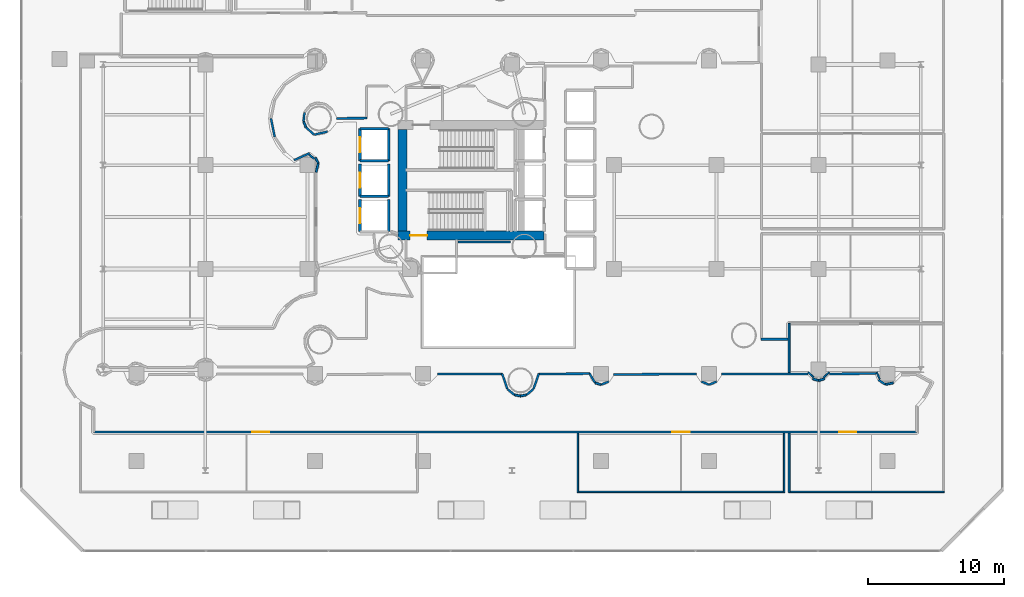
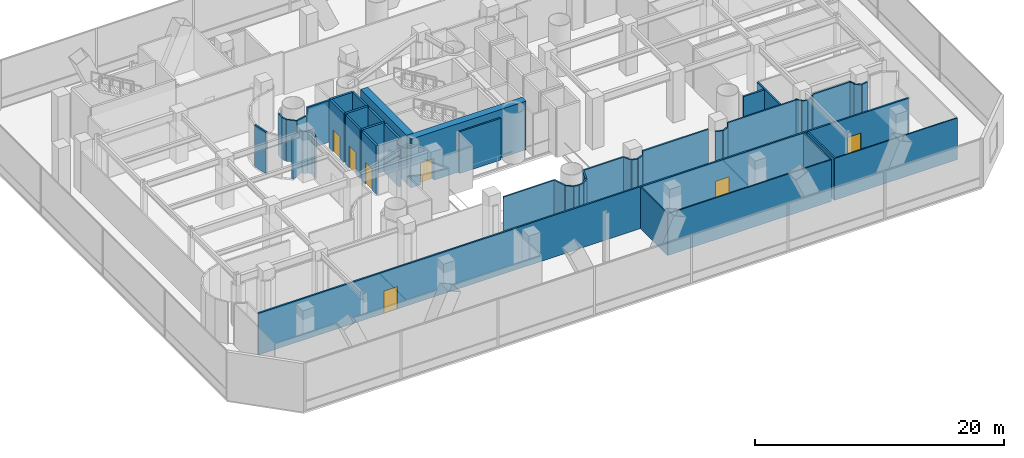
# One storey, part 32 of 42: 53 walls, 7 doors, 7 openings.
"""IFC4 building model written with IfcOpenShell, lengths in metres."""

from ifc_helpers import new_model, si_unit, direction, frame, frame_2d, origin, place, context, subcontext, project, spatial, rectangle, extrude, material, layer, layer_set, type_object, element, fill, save


model = new_model("IFC4")

# Units and contexts
model_context = context("Model", 3, precision=1e-05, world=origin(), true_north=direction((0.0, 1.0)))
body_context = subcontext(model_context, "Body", "Model", "MODEL_VIEW")
ifc_project = project(units=[si_unit("LENGTHUNIT", "METRE"), si_unit("AREAUNIT", "SQUARE_METRE"), si_unit("VOLUMEUNIT", "CUBIC_METRE"), si_unit("PLANEANGLEUNIT", "RADIAN"), si_unit("MASSUNIT", "GRAM", prefix="KILO")], contexts=[model_context])

# Site, building, storey
site_placement = place(None, origin())
site = spatial("IfcSite", under=ifc_project, at=site_placement, CompositionType="ELEMENT")
building_placement = place(site_placement, origin())
building = spatial("IfcBuilding", under=site, at=building_placement, Name="Qianvela Tower", CompositionType="ELEMENT")
storey_placement = place(building_placement, frame((0.0, 0.0, 6.0)))
storey = spatial("IfcBuildingStorey", under=building, at=storey_placement, Name="L01", CompositionType="ELEMENT", Elevation=6.0)

# Wall, opening, door
ifc_material_1 = material(Name="Concrete C60", Category="concrete")
ifc_layer_1 = layer(ifc_material_1, 0.64990234375)
ifc_layer_set_1 = layer_set([ifc_layer_1], Name="Concrete C60")
wall_type_1 = type_object("IfcWallType", Name="WT-CORE-650", PredefinedType="SHEAR", material=ifc_layer_set_1)
wall_1_placement = place(storey_placement, frame((29.1298828125, 24.655029296875, 0.0), z_axis=(0.0, 0.0, 1.0), x_axis=(1.0, 0.0, 0.0)))
wall_1 = element("IfcWall", 1, at=wall_1_placement, inside=storey, type_object=wall_type_1, Name="L01 South Core Shear Wall", PredefinedType="SHEAR", context=body_context, shape_type="SweptSolid", body=[
    extrude(rectangle(XDim=10.72021484375, YDim=0.64990234375, at=frame_2d((5.360107421875, 0.0))), origin(), (0.0, 0.0, 1.0), 4.780029296875),
])
opening_1_placement = place(wall_1_placement, frame((0.89501953125, 0.0, 0.0)))
opening_1 = element("IfcOpeningElement", 2, at=opening_1_placement, cuts=wall_1, Name="Opening D-ST1", PredefinedType="OPENING", context=body_context, shape_type="SweptSolid", body=[
    extrude(rectangle(XDim=1.25, YDim=2.14990234375, at=frame_2d((0.625, 1.074951171875))), frame((0.0, 0.3349609375, 0.0), z_axis=(0.0, -1.0, 0.0), x_axis=(1.0, 0.0, 0.0)), (0.0, 0.0, 1.0), 0.669921875),
])
ifc_material_2 = material(Name="Galvanised Fire Steel Q355B", Category="steel")
door_type_1 = type_object("IfcDoorType", Name="DT-STAIR-FD90", OperationType="NOTDEFINED", PredefinedType="DOOR", material=ifc_material_2)
door_1_placement = place(opening_1_placement, origin())
door_1 = element("IfcDoor", 3, at=door_1_placement, inside=storey, type_object=door_type_1, Name="L01 Stair ST-2 Exit Door", OperationType="SINGLE_SWING_LEFT", OverallHeight=2.14990234375, OverallWidth=1.25, PredefinedType="DOOR", context=body_context, shape_type="SweptSolid", body=[
    extrude(rectangle(XDim=1.25, YDim=2.14990234375, at=frame_2d((0.625, 1.074951171875))), frame((0.0, 0.02490234375, 0.0), z_axis=(0.0, -1.0, 0.0), x_axis=(1.0, 0.0, 0.0)), (0.0, 0.0, 1.0), 0.050048828125),
])
fill(opening_1, door_1)

# Walls
wall_2_placement = place(storey_placement, frame((29.455078125, 24.97998046875, 0.0), z_axis=(0.0, 0.0, 1.0), x_axis=(0.0, 1.0, 0.0)))
element("IfcWall", 4, at=wall_2_placement, inside=storey, type_object=wall_type_1, Name="L01 West Core Shear Wall", PredefinedType="SHEAR", context=body_context, shape_type="SweptSolid", body=[
    extrude(rectangle(XDim=7.43994140625, YDim=0.64990234375, at=frame_2d((3.719970703125, 0.0))), origin(), (0.0, 0.0, 1.0), 4.780029296875),
])
ifc_material_3 = material(Name="Fire-Rated Acoustic Gypsum Board")
ifc_layer_2 = layer(ifc_material_3, 0.14990234375)
ifc_layer_set_2 = layer_set([ifc_layer_2], Name="Fire-Rated Acoustic Gypsum Board")
wall_type_2 = type_object("IfcWallType", Name="WT-CORR-150", PredefinedType="PARTITIONING", material=ifc_layer_set_2)
wall_3_placement = place(storey_placement, frame((37.388671875, 24.180908203125, 0.0), z_axis=(0.0, 0.0, 1.0), x_axis=(-1.0, 0.0, 0.0)))
element("IfcWall", 5, at=wall_3_placement, inside=storey, type_object=wall_type_2, Name="L01 Partition 35", PredefinedType="PARTITIONING", context=body_context, shape_type="SweptSolid", body=[
    extrude(rectangle(XDim=3.858642578125, YDim=0.14990234375, at=frame_2d((1.92919921875, 0.0))), origin(), (0.0, 0.0, 1.0), 4.10009765625),
])
wall_4_placement = place(storey_placement, frame((32.029052734375, 14.474609375, 0.0), z_axis=(0.0, 0.0, 1.0), x_axis=(0.999996860616, 0.002505745138, 0.0)))
element("IfcWall", 6, at=wall_4_placement, inside=storey, type_object=wall_type_2, Name="L01 Partition 49", PredefinedType="PARTITIONING", context=body_context, shape_type="SweptSolid", body=[
    extrude(rectangle(XDim=4.774169921875, YDim=0.14990234375, at=frame_2d((2.38720703125, 0.0))), origin(), (0.0, 0.0, 1.0), 4.10009765625),
])
wall_5_placement = place(storey_placement, frame((36.773681640625, 14.507568359375, 0.0), z_axis=(0.0, 0.0, 1.0), x_axis=(0.324660518743, -0.945830612515, 0.0)))
element("IfcWall", 7, at=wall_5_placement, inside=storey, type_object=wall_type_2, Name="L01 Partition 50", PredefinedType="PARTITIONING", context=body_context, shape_type="SweptSolid", body=[
    extrude(rectangle(XDim=1.188232421875, YDim=0.14990234375, at=frame_2d((0.59423828125, 0.0))), origin(), (0.0, 0.0, 1.0), 4.10009765625),
])
wall_6_placement = place(storey_placement, frame((37.169189453125, 13.369873046875, 0.0), z_axis=(0.0, 0.0, 1.0), x_axis=(0.772818338666, -0.634627304346, 0.0)))
element("IfcWall", 8, at=wall_6_placement, inside=storey, type_object=wall_type_2, Name="L01 Partition 51", PredefinedType="PARTITIONING", context=body_context, shape_type="SweptSolid", body=[
    extrude(rectangle(XDim=0.650146484375, YDim=0.14990234375, at=frame_2d((0.3251953125, 0.0))), origin(), (0.0, 0.0, 1.0), 4.10009765625),
])
for number, where, z_axis, x_axis, name in (
    (9, (37.685302734375, 12.950927734375, 0.0), (0.0, 0.0, 1.0), (0.980709346372, -0.195471680655, 0.0), "L01 Partition 52"),
    (10, (38.1259765625, 12.865478515625, 0.0), (0.0, 0.0, 1.0), (0.980709346372, 0.195471680655, 0.0), "L01 Partition 53"),
):
    element("IfcWall", number, at=place(storey_placement, frame(where, z_axis=z_axis, x_axis=x_axis)), inside=storey, type_object=wall_type_2, Name=name, PredefinedType="PARTITIONING", context=body_context, shape_type="SweptSolid", body=[
        extrude(rectangle(XDim=0.437255859375, YDim=0.14990234375, at=frame_2d((0.21875, 0.0))), origin(), (0.0, 0.0, 1.0), 4.10009765625),
    ])
wall_7_placement = place(storey_placement, frame((38.568359375, 12.957275390625, 0.0), z_axis=(0.0, 0.0, 1.0), x_axis=(0.772818338666, 0.634627304346, 0.0)))
element("IfcWall", 11, at=wall_7_placement, inside=storey, type_object=wall_type_2, Name="L01 Partition 54", PredefinedType="PARTITIONING", context=body_context, shape_type="SweptSolid", body=[
    extrude(rectangle(XDim=0.650146484375, YDim=0.14990234375, at=frame_2d((0.3251953125, 0.0))), origin(), (0.0, 0.0, 1.0), 4.10009765625),
])
wall_8_placement = place(storey_placement, frame((39.08056640625, 13.3837890625, 0.0), z_axis=(0.0, 0.0, 1.0), x_axis=(0.324428785583, 0.945910124211, 0.0)))
element("IfcWall", 12, at=wall_8_placement, inside=storey, type_object=wall_type_2, Name="L01 Partition 55", PredefinedType="PARTITIONING", context=body_context, shape_type="SweptSolid", body=[
    extrude(rectangle(XDim=1.195068359375, YDim=0.14990234375, at=frame_2d((0.59765625, 0.0))), origin(), (0.0, 0.0, 1.0), 4.10009765625),
])
wall_9_placement = place(storey_placement, frame((39.43896484375, 14.4931640625, 0.0), z_axis=(0.0, 0.0, 1.0), x_axis=(0.999996818161, 0.002522631042, 0.0)))
element("IfcWall", 13, at=wall_9_placement, inside=storey, type_object=wall_type_2, Name="L01 Partition 56", PredefinedType="PARTITIONING", context=body_context, shape_type="SweptSolid", body=[
    extrude(rectangle(XDim=3.7744140625, YDim=0.14990234375, at=frame_2d((1.88720703125, 0.0))), origin(), (0.0, 0.0, 1.0), 4.10009765625),
])
wall_10_placement = place(storey_placement, frame((43.186767578125, 14.517578125, 0.0), z_axis=(0.0, 0.0, 1.0), x_axis=(0.51358109692, -0.858041057809, 0.0)))
element("IfcWall", 14, at=wall_10_placement, inside=storey, type_object=wall_type_2, Name="L01 Partition 57", PredefinedType="PARTITIONING", context=body_context, shape_type="SweptSolid", body=[
    extrude(rectangle(XDim=0.785400390625, YDim=0.14990234375, at=frame_2d((0.392578125, 0.0))), origin(), (0.0, 0.0, 1.0), 4.10009765625),
])
wall_11_placement = place(storey_placement, frame((43.60791015625, 13.830078125, 0.0), z_axis=(0.0, 0.0, 1.0), x_axis=(0.956858887343, -0.290553041134, 0.0)))
element("IfcWall", 15, at=wall_11_placement, inside=storey, type_object=wall_type_2, Name="L01 Partition 58", PredefinedType="PARTITIONING", context=body_context, shape_type="SweptSolid", body=[
    extrude(rectangle(XDim=0.447021484375, YDim=0.14990234375, at=frame_2d((0.2236328125, 0.0))), origin(), (0.0, 0.0, 1.0), 4.10009765625),
])
wall_12_placement = place(storey_placement, frame((44.056396484375, 13.701416015625, 0.0), z_axis=(0.0, 0.0, 1.0), x_axis=(0.923835035561, 0.382790839847, 0.0)))
element("IfcWall", 16, at=wall_12_placement, inside=storey, type_object=wall_type_2, Name="L01 Partition 59", PredefinedType="PARTITIONING", context=body_context, shape_type="SweptSolid", body=[
    extrude(rectangle(XDim=0.58935546875, YDim=0.14990234375, at=frame_2d((0.294677734375, 0.0))), origin(), (0.0, 0.0, 1.0), 4.10009765625),
])
wall_13_placement = place(storey_placement, frame((44.944580078125, 14.456298828125, 0.0), z_axis=(0.0, 0.0, 1.0), x_axis=(0.999996822019, 0.002521101276, 0.0)))
element("IfcWall", 17, at=wall_13_placement, inside=storey, type_object=wall_type_2, Name="L01 Partition 60", PredefinedType="PARTITIONING", context=body_context, shape_type="SweptSolid", body=[
    extrude(rectangle(XDim=6.100830078125, YDim=0.14990234375, at=frame_2d((3.05029296875, 0.0))), origin(), (0.0, 0.0, 1.0), 4.10009765625),
])
for number, where, z_axis, x_axis, name in (
    (18, (51.399169921875, 13.927001953125, 0.0), (0.0, 0.0, 1.0), (0.923835035561, -0.382790839847, 0.0), "L01 Partition 61"),
    (19, (51.96728515625, 13.701416015625, 0.0), (0.0, 0.0, 1.0), (0.923835035561, 0.382790839847, 0.0), "L01 Partition 62"),
):
    element("IfcWall", number, at=place(storey_placement, frame(where, z_axis=z_axis, x_axis=x_axis)), inside=storey, type_object=wall_type_2, Name=name, PredefinedType="PARTITIONING", context=body_context, shape_type="SweptSolid", body=[
        extrude(rectangle(XDim=0.58935546875, YDim=0.14990234375, at=frame_2d((0.294677734375, 0.0))), origin(), (0.0, 0.0, 1.0), 4.10009765625),
    ])
wall_14_placement = place(storey_placement, frame((52.868408203125, 14.476318359375, 0.0), z_axis=(0.0, 0.0, 1.0), x_axis=(0.999996963658, 0.002464279607, 0.0)))
element("IfcWall", 20, at=wall_14_placement, inside=storey, type_object=wall_type_2, Name="L01 Partition 63", PredefinedType="PARTITIONING", context=body_context, shape_type="SweptSolid", body=[
    extrude(rectangle(XDim=6.340576171875, YDim=0.14990234375, at=frame_2d((3.17041015625, 0.0))), origin(), (0.0, 0.0, 1.0), 4.10009765625),
])
for number, where, z_axis, x_axis, name in (
    (21, (59.563232421875, 14.130126953125, 0.0), (0.0, 0.0, 1.0), (0.956858887343, -0.290553041134, 0.0), "L01 Partition 64"),
    (22, (60.009033203125, 14.000244140625, 0.0), (0.0, 0.0, 1.0), (0.956858887343, 0.290553041134, 0.0), "L01 Partition 65"),
):
    element("IfcWall", number, at=place(storey_placement, frame(where, z_axis=z_axis, x_axis=x_axis)), inside=storey, type_object=wall_type_2, Name=name, PredefinedType="PARTITIONING", context=body_context, shape_type="SweptSolid", body=[
        extrude(rectangle(XDim=0.447021484375, YDim=0.14990234375, at=frame_2d((0.2236328125, 0.0))), origin(), (0.0, 0.0, 1.0), 4.10009765625),
    ])
wall_15_placement = place(storey_placement, frame((60.795166015625, 14.49609375, 0.0), z_axis=(0.0, 0.0, 1.0), x_axis=(0.999997049769, 0.002429084782, 0.0)))
element("IfcWall", 23, at=wall_15_placement, inside=storey, type_object=wall_type_2, Name="L01 Partition 66", PredefinedType="PARTITIONING", context=body_context, shape_type="SweptSolid", body=[
    extrude(rectangle(XDim=3.417236328125, YDim=0.14990234375, at=frame_2d((1.70849609375, 0.0))), origin(), (0.0, 0.0, 1.0), 4.10009765625),
])
for number, where, z_axis, x_axis, name in (
    (24, (64.38720703125, 14.04638671875, 0.0), (0.0, 0.0, 1.0), (0.831476219755, -0.555560344141, 0.0), "L01 Partition 67"),
    (25, (64.900390625, 13.71435546875, 0.0), (0.0, 0.0, 1.0), (0.980787220882, 0.195080566316, 0.0), "L01 Partition 68"),
):
    element("IfcWall", number, at=place(storey_placement, frame(where, z_axis=z_axis, x_axis=x_axis)), inside=storey, type_object=wall_type_2, Name=name, PredefinedType="PARTITIONING", context=body_context, shape_type="SweptSolid", body=[
        extrude(rectangle(XDim=0.58935546875, YDim=0.14990234375, at=frame_2d((0.294677734375, 0.0))), origin(), (0.0, 0.0, 1.0), 4.10009765625),
    ])

# Wall, openings, doors
wall_16_placement = place(storey_placement, frame((67.199951171875, 10.23095703125, 0.0), z_axis=(0.0, 0.0, 1.0), x_axis=(-1.0, 0.0, 0.0)))
wall_16 = element("IfcWall", 26, at=wall_16_placement, inside=storey, type_object=wall_type_2, Name="L01 Partition 75", PredefinedType="PARTITIONING", context=body_context, shape_type="SweptSolid", body=[
    extrude(rectangle(XDim=60.39990234375, YDim=0.14990234375, at=frame_2d((30.199951171875, 0.0))), origin(), (0.0, 0.0, 1.0), 4.10009765625),
])
opening_2_placement = place(wall_16_placement, frame((47.50341796875, 0.0, 0.0)))
opening_2 = element("IfcOpeningElement", 27, at=opening_2_placement, cuts=wall_16, Name="Opening D-LG1", PredefinedType="OPENING", context=body_context, shape_type="SweptSolid", body=[
    extrude(rectangle(XDim=1.25, YDim=2.199951171875, at=frame_2d((0.625, 1.10009765625))), frame((0.0, 0.0849609375, 0.0), z_axis=(0.0, -1.0, 0.0), x_axis=(1.0, 0.0, 0.0)), (0.0, 0.0, 1.0), 0.169921875),
])
opening_3_placement = place(wall_16_placement, frame((16.675048828125, 0.0, 0.0)))
opening_3 = element("IfcOpeningElement", 28, at=opening_3_placement, cuts=wall_16, Name="Opening D-LG1", PredefinedType="OPENING", context=body_context, shape_type="SweptSolid", body=[
    extrude(rectangle(XDim=1.25, YDim=2.199951171875, at=frame_2d((0.625, 1.10009765625))), frame((0.0, 0.0849609375, 0.0), z_axis=(0.0, -1.0, 0.0), x_axis=(1.0, 0.0, 0.0)), (0.0, 0.0, 1.0), 0.169921875),
])
opening_4_placement = place(wall_16_placement, frame((4.44677734375, 0.0, 0.0)))
opening_4 = element("IfcOpeningElement", 29, at=opening_4_placement, cuts=wall_16, Name="Opening D-LG1", PredefinedType="OPENING", context=body_context, shape_type="SweptSolid", body=[
    extrude(rectangle(XDim=1.25, YDim=2.199951171875, at=frame_2d((0.625, 1.10009765625))), frame((0.0, 0.0849609375, 0.0), z_axis=(0.0, -1.0, 0.0), x_axis=(1.0, 0.0, 0.0)), (0.0, 0.0, 1.0), 0.169921875),
])
ifc_material_4 = material(Name="Anodised Aluminium Acoustic Glass Door", Category="aluminium")
door_type_2 = type_object("IfcDoorType", Name="DT-LOUNGE-1250", OperationType="NOTDEFINED", PredefinedType="DOOR", material=ifc_material_4)
door_2_placement = place(opening_2_placement, origin())
door_2 = element("IfcDoor", 30, at=door_2_placement, inside=storey, type_object=door_type_2, Name="L01 Door L01 Student Commons Exhibition Gallery to L01 Concourse Gallery Corridor", OperationType="SINGLE_SWING_RIGHT", OverallHeight=2.199951171875, OverallWidth=1.25, PredefinedType="DOOR", context=body_context, shape_type="SweptSolid", body=[
    extrude(rectangle(XDim=1.25, YDim=2.199951171875, at=frame_2d((0.625, 1.10009765625))), frame((0.0, 0.02490234375, 0.0), z_axis=(0.0, -1.0, 0.0), x_axis=(1.0, 0.0, 0.0)), (0.0, 0.0, 1.0), 0.050048828125),
])
fill(opening_2, door_2)
door_3_placement = place(opening_3_placement, origin())
door_3 = element("IfcDoor", 31, at=door_3_placement, inside=storey, type_object=door_type_2, Name="L01 Door L01 Student Canteen and Dining Hall to L01 Concourse Gallery Corridor", OperationType="SINGLE_SWING_LEFT", OverallHeight=2.199951171875, OverallWidth=1.25, PredefinedType="DOOR", context=body_context, shape_type="SweptSolid", body=[
    extrude(rectangle(XDim=1.25, YDim=2.199951171875, at=frame_2d((0.625, 1.10009765625))), frame((0.0, 0.02490234375, 0.0), z_axis=(0.0, -1.0, 0.0), x_axis=(1.0, 0.0, 0.0)), (0.0, 0.0, 1.0), 0.050048828125),
])
fill(opening_3, door_3)
door_4_placement = place(opening_4_placement, origin())
door_4 = element("IfcDoor", 32, at=door_4_placement, inside=storey, type_object=door_type_2, Name="L01 Door L01 Quiet Reading Study Lounge to L01 Concourse Gallery Corridor", OperationType="SINGLE_SWING_RIGHT", OverallHeight=2.199951171875, OverallWidth=1.25, PredefinedType="DOOR", context=body_context, shape_type="SweptSolid", body=[
    extrude(rectangle(XDim=1.25, YDim=2.199951171875, at=frame_2d((0.625, 1.10009765625))), frame((0.0, 0.02490234375, 0.0), z_axis=(0.0, -1.0, 0.0), x_axis=(1.0, 0.0, 0.0)), (0.0, 0.0, 1.0), 0.050048828125),
])
fill(opening_4, door_4)

# Walls
wall_17_placement = place(storey_placement, frame((23.130126953125, 29.289794921875, 0.0), z_axis=(0.0, 0.0, 1.0), x_axis=(0.231227296527, 0.972899757087, 0.0)))
element("IfcWall", 33, at=wall_17_placement, inside=storey, type_object=wall_type_2, Name="L01 Partition 96", PredefinedType="PARTITIONING", context=body_context, shape_type="SweptSolid", body=[
    extrude(rectangle(XDim=0.671630859375, YDim=0.14990234375, at=frame_2d((0.3359375, 0.0))), origin(), (0.0, 0.0, 1.0), 4.10009765625),
])
wall_18_placement = place(storey_placement, frame((23.282470703125, 29.96484375, 0.0), z_axis=(0.0, 0.0, 1.0), x_axis=(-0.471296709458, 0.881974722798, 0.0)))
element("IfcWall", 34, at=wall_18_placement, inside=storey, type_object=wall_type_2, Name="L01 Partition 97", PredefinedType="PARTITIONING", context=body_context, shape_type="SweptSolid", body=[
    extrude(rectangle(XDim=0.447021484375, YDim=0.14990234375, at=frame_2d((0.2236328125, 0.0))), origin(), (0.0, 0.0, 1.0), 4.10009765625),
])
wall_19_placement = place(storey_placement, frame((22.656982421875, 30.6806640625, 0.0), z_axis=(0.0, 0.0, 1.0), x_axis=(-0.914981306952, -0.403496230377, 0.0)))
element("IfcWall", 35, at=wall_19_placement, inside=storey, type_object=wall_type_2, Name="L01 Partition 98", PredefinedType="PARTITIONING", context=body_context, shape_type="SweptSolid", body=[
    extrude(rectangle(XDim=1.25244140625, YDim=0.14990234375, at=frame_2d((0.626220703125, 0.0))), origin(), (0.0, 0.0, 1.0), 4.10009765625),
])
wall_20_placement = place(storey_placement, frame((20.088623046875, 31.87548828125, 0.0), z_axis=(0.0, 0.0, 1.0), x_axis=(-0.195132981816, 0.980776793877, 0.0)))
element("IfcWall", 36, at=wall_20_placement, inside=storey, type_object=wall_type_2, Name="L01 Partition 101", PredefinedType="PARTITIONING", context=body_context, shape_type="SweptSolid", body=[
    extrude(rectangle(XDim=1.385009765625, YDim=0.14990234375, at=frame_2d((0.6923828125, 0.0))), origin(), (0.0, 0.0, 1.0), 4.10009765625),
])
wall_21_placement = place(storey_placement, frame((26.849853515625, 33.24853515625, 0.0), z_axis=(0.0, 0.0, 1.0), x_axis=(-0.999996856591, -0.002507350671, 0.0)))
element("IfcWall", 37, at=wall_21_placement, inside=storey, type_object=wall_type_2, Name="L01 Partition 156", PredefinedType="PARTITIONING", context=body_context, shape_type="SweptSolid", body=[
    extrude(rectangle(XDim=2.239501953125, YDim=0.14990234375, at=frame_2d((1.11962890625, 0.0))), origin(), (0.0, 0.0, 1.0), 4.10009765625),
])
wall_22_placement = place(storey_placement, frame((22.2724609375, 33.65966796875, 0.0), z_axis=(0.0, 0.0, 1.0), x_axis=(-0.097979696722, -0.995188413834, 0.0)))
element("IfcWall", 38, at=wall_22_placement, inside=storey, type_object=wall_type_2, Name="L01 Partition 162", PredefinedType="PARTITIONING", context=body_context, shape_type="SweptSolid", body=[
    extrude(rectangle(XDim=0.650390625, YDim=0.14990234375, at=frame_2d((0.3251953125, 0.0))), origin(), (0.0, 0.0, 1.0), 4.10009765625),
])
wall_23_placement = place(storey_placement, frame((22.2109375, 32.99755859375, 0.0), z_axis=(0.0, 0.0, 1.0), x_axis=(0.382828912614, -0.923819259199, 0.0)))
element("IfcWall", 39, at=wall_23_placement, inside=storey, type_object=wall_type_2, Name="L01 Partition 163", PredefinedType="PARTITIONING", context=body_context, shape_type="SweptSolid", body=[
    extrude(rectangle(XDim=0.436767578125, YDim=0.14990234375, at=frame_2d((0.21826171875, 0.0))), origin(), (0.0, 0.0, 1.0), 4.10009765625),
])
wall_24_placement = place(storey_placement, frame((22.3857421875, 32.5830078125, 0.0), z_axis=(0.0, 0.0, 1.0), x_axis=(0.737256999292, -0.675612401452, 0.0)))
element("IfcWall", 40, at=wall_24_placement, inside=storey, type_object=wall_type_2, Name="L01 Partition 164", PredefinedType="PARTITIONING", context=body_context, shape_type="SweptSolid", body=[
    extrude(rectangle(XDim=0.7880859375, YDim=0.14990234375, at=frame_2d((0.39404296875, 0.0))), origin(), (0.0, 0.0, 1.0), 4.10009765625),
])
wall_25_placement = place(storey_placement, frame((22.99462890625, 32.043212890625, 0.0), z_axis=(0.0, 0.0, 1.0), x_axis=(0.974625677984, 0.22384098779, 0.0)))
element("IfcWall", 41, at=wall_25_placement, inside=storey, type_object=wall_type_2, Name="L01 Partition 165", PredefinedType="PARTITIONING", context=body_context, shape_type="SweptSolid", body=[
    extrude(rectangle(XDim=0.998046875, YDim=0.14990234375, at=frame_2d((0.4990234375, 0.0))), origin(), (0.0, 0.0, 1.0), 4.10009765625),
])
ifc_material_5 = material(Name="Lightweight Gypsum Room Partition")
ifc_layer_3 = layer(ifc_material_5, 0.10498046875)
ifc_layer_set_3 = layer_set([ifc_layer_3], Name="Lightweight Gypsum Room Partition")
wall_type_3 = type_object("IfcWallType", Name="WT-PART-105", PredefinedType="PARTITIONING", material=ifc_layer_set_3)
wall_26_placement = place(storey_placement, frame((42.3310546875, 5.800048828125, 0.0), z_axis=(0.0, 0.0, 1.0), x_axis=(0.0, 1.0, 0.0)))
element("IfcWall", 42, at=wall_26_placement, inside=storey, type_object=wall_type_3, Name="L01 Partition 222", PredefinedType="PARTITIONING", context=body_context, shape_type="SweptSolid", body=[
    extrude(rectangle(XDim=4.337890625, YDim=0.10498046875, at=frame_2d((2.1689453125, 0.0))), origin(), (0.0, 0.0, 1.0), 4.10009765625),
])
wall_27_placement = place(storey_placement, frame((69.199951171875, 5.8310546875, 0.0), z_axis=(0.0, 0.0, 1.0), x_axis=(-1.0, 0.0, 0.0)))
element("IfcWall", 43, at=wall_27_placement, inside=storey, type_object=wall_type_3, Name="L01 Partition 225", PredefinedType="PARTITIONING", context=body_context, shape_type="SweptSolid", body=[
    extrude(rectangle(XDim=11.39990234375, YDim=0.10498046875, at=frame_2d((5.699951171875, 0.0))), origin(), (0.0, 0.0, 1.0), 4.10009765625),
])
wall_28_placement = place(storey_placement, frame((64.48486328125, 14.120849609375, 0.0), z_axis=(0.0, 0.0, 1.0), x_axis=(-0.437690893291, 0.899125509554, 0.0)))
element("IfcWall", 44, at=wall_28_placement, inside=storey, type_object=wall_type_3, Name="L01 Partition 234", PredefinedType="PARTITIONING", context=body_context, shape_type="SweptSolid", body=[
    extrude(rectangle(XDim=0.544921875, YDim=0.10498046875, at=frame_2d((0.2724609375, 0.0))), origin(), (0.0, 0.0, 1.0), 4.10009765625),
])
ifc_material_6 = material(Name="Insulated Gypsum Stud Partition")
ifc_layer_4 = layer(ifc_material_6, 0.1201171875)
ifc_layer_set_4 = layer_set([ifc_layer_4], Name="Insulated Gypsum Stud Partition")
wall_type_4 = type_object("IfcWallType", Name="WT-PART-120", PredefinedType="PARTITIONING", material=ifc_layer_set_4)
wall_29_placement = place(storey_placement, frame((57.5, 5.8310546875, 0.0), z_axis=(0.0, 0.0, 1.0), x_axis=(-1.0, 0.0, 0.0)))
element("IfcWall", 45, at=wall_29_placement, inside=storey, type_object=wall_type_4, Name="L01 Partition 221", PredefinedType="PARTITIONING", context=body_context, shape_type="SweptSolid", body=[
    extrude(rectangle(XDim=15.199951171875, YDim=0.1201171875, at=frame_2d((7.60009765625, 0.0))), origin(), (0.0, 0.0, 1.0), 4.10009765625),
])
wall_30_placement = place(storey_placement, frame((57.468994140625, 10.137939453125, 0.0), z_axis=(0.0, 0.0, 1.0), x_axis=(0.0, -1.0, 0.0)))
element("IfcWall", 46, at=wall_30_placement, inside=storey, type_object=wall_type_4, Name="L01 Partition 224", PredefinedType="PARTITIONING", context=body_context, shape_type="SweptSolid", body=[
    extrude(rectangle(XDim=4.337890625, YDim=0.1201171875, at=frame_2d((2.1689453125, 0.0))), origin(), (0.0, 0.0, 1.0), 4.10009765625),
])
wall_31_placement = place(storey_placement, frame((60.767333984375, 14.611083984375, 0.0), z_axis=(0.0, 0.0, 1.0), x_axis=(-0.724877362536, -0.688877934966, 0.0)))
element("IfcWall", 47, at=wall_31_placement, inside=storey, type_object=wall_type_4, Name="L01 Partition 236", PredefinedType="PARTITIONING", context=body_context, shape_type="SweptSolid", body=[
    extrude(rectangle(XDim=0.54931640625, YDim=0.1201171875, at=frame_2d((0.274658203125, 0.0))), origin(), (0.0, 0.0, 1.0), 3.9580078125),
])
wall_32_placement = place(storey_placement, frame((59.631103515625, 14.232421875, 0.0), z_axis=(0.0, 0.0, 1.0), x_axis=(-0.72078086242, 0.693163002741, 0.0)))
element("IfcWall", 48, at=wall_32_placement, inside=storey, type_object=wall_type_4, Name="L01 Partition 239", PredefinedType="PARTITIONING", context=body_context, shape_type="SweptSolid", body=[
    extrude(rectangle(XDim=0.539306640625, YDim=0.1201171875, at=frame_2d((0.26953125, 0.0))), origin(), (0.0, 0.0, 1.0), 4.10009765625),
])
ifc_material_7 = material(Name="Sanitary Service Chase Partition")
ifc_layer_5 = layer(ifc_material_7, 0.1650390625)
ifc_layer_set_5 = layer_set([ifc_layer_5], Name="Sanitary Service Chase Partition")
wall_type_5 = type_object("IfcWallType", Name="WT-PLUMB-165", PredefinedType="PLUMBINGWALL", material=ifc_layer_set_5)
wall_33_placement = place(storey_placement, frame((57.738037109375, 17.031005859375, 0.0), z_axis=(0.0, 0.0, 1.0), x_axis=(-1.0, 0.0, 0.0)))
element("IfcWall", 49, at=wall_33_placement, inside=storey, type_object=wall_type_5, Name="L01 Partition 246", PredefinedType="PLUMBINGWALL", context=body_context, shape_type="SweptSolid", body=[
    extrude(rectangle(XDim=1.9580078125, YDim=0.1650390625, at=frame_2d((0.97900390625, 0.0))), origin(), (0.0, 0.0, 1.0), 4.10009765625),
])
ifc_material_8 = material(Name="Acoustic Double Gypsum Stud Partition")
ifc_layer_6 = layer(ifc_material_8, 0.139892578125)
ifc_layer_set_6 = layer_set([ifc_layer_6], Name="Acoustic Double Gypsum Stud Partition")
wall_type_6 = type_object("IfcWallType", Name="WT-ROOM-140", PredefinedType="PARTITIONING", material=ifc_layer_set_6)
wall_34_placement = place(storey_placement, frame((57.8310546875, 5.800048828125, 0.0), z_axis=(0.0, 0.0, 1.0), x_axis=(0.0, 1.0, 0.0)))
element("IfcWall", 50, at=wall_34_placement, inside=storey, type_object=wall_type_6, Name="L01 Partition 226", PredefinedType="PARTITIONING", context=body_context, shape_type="SweptSolid", body=[
    extrude(rectangle(XDim=4.337890625, YDim=0.139892578125, at=frame_2d((2.1689453125, 0.0))), origin(), (0.0, 0.0, 1.0), 4.10009765625),
])
wall_35_placement = place(storey_placement, frame((57.8310546875, 14.58154296875, 0.0), z_axis=(0.0, 0.0, 1.0), x_axis=(0.0, 1.0, 0.0)))
element("IfcWall", 51, at=wall_35_placement, inside=storey, type_object=wall_type_6, Name="L01 Partition 241", PredefinedType="PARTITIONING", context=body_context, shape_type="SweptSolid", body=[
    extrude(rectangle(XDim=3.618408203125, YDim=0.139892578125, at=frame_2d((1.80908203125, 0.0))), origin(), (0.0, 0.0, 1.0), 4.10009765625),
])
wall_36_placement = place(storey_placement, frame((22.635986328125, 30.559326171875, 0.0), z_axis=(0.0, 0.0, 1.0), x_axis=(0.773121869203, -0.634257499254, 0.0)))
element("IfcWall", 52, at=wall_36_placement, inside=storey, type_object=wall_type_6, Name="L01 Partition 265", PredefinedType="PARTITIONING", context=body_context, shape_type="SweptSolid", body=[
    extrude(rectangle(XDim=0.443115234375, YDim=0.139892578125, at=frame_2d((0.2216796875, 0.0))), origin(), (0.0, 0.0, 1.0), 4.10009765625),
])
ifc_material_9 = material(Name="Concrete C50", Category="concrete")
ifc_layer_7 = layer(ifc_material_9, 0.199951171875)
ifc_layer_set_7 = layer_set([ifc_layer_7], Name="Concrete C50")
wall_type_7 = type_object("IfcWallType", Name="WT-SHAFT-200", PredefinedType="SOLIDWALL", material=ifc_layer_set_7)
wall_37_placement = place(storey_placement, frame((28.449951171875, 30.1201171875, 0.0), z_axis=(0.0, 0.0, 1.0), x_axis=(0.0, 1.0, 0.0)))
element("IfcWall", 53, at=wall_37_placement, inside=storey, type_object=wall_type_7, Name="L01 Lift PL-L1 E Shaft Wall", PredefinedType="SOLIDWALL", context=body_context, shape_type="SweptSolid", body=[
    extrude(rectangle(XDim=2.35986328125, YDim=0.199951171875, at=frame_2d((1.179931640625, 0.0))), origin(), (0.0, 0.0, 1.0), 4.780029296875),
])

# Wall, opening, door
wall_38_placement = place(storey_placement, frame((26.35009765625, 30.1201171875, 0.0), z_axis=(0.0, 0.0, 1.0), x_axis=(0.0, 1.0, 0.0)))
wall_38 = element("IfcWall", 54, at=wall_38_placement, inside=storey, type_object=wall_type_7, Name="L01 Lift PL-L1 W Shaft Wall", PredefinedType="SOLIDWALL", context=body_context, shape_type="SweptSolid", body=[
    extrude(rectangle(XDim=2.35986328125, YDim=0.199951171875, at=frame_2d((1.179931640625, 0.0))), origin(), (0.0, 0.0, 1.0), 4.780029296875),
])
opening_5_placement = place(wall_38_placement, frame((0.6298828125, 0.0, 0.0)))
opening_5 = element("IfcOpeningElement", 55, at=opening_5_placement, cuts=wall_38, Name="Opening LD-01", PredefinedType="OPENING", context=body_context, shape_type="SweptSolid", body=[
    extrude(rectangle(XDim=1.10009765625, YDim=2.14990234375, at=frame_2d((0.550048828125, 1.074951171875))), frame((0.0, 0.10986328125, 0.0), z_axis=(0.0, -1.0, 0.0), x_axis=(1.0, 0.0, 0.0)), (0.0, 0.0, 1.0), 0.219970703125),
])
ifc_material_10 = material(Name="Brushed Stainless Steel Lift Landing Door", Category="steel")
door_type_3 = type_object("IfcDoorType", Name="DT-LIFT-SLIDE-1100", OperationType="SLIDING_TO_LEFT", PredefinedType="DOOR", material=ifc_material_10)
door_5_placement = place(opening_5_placement, origin())
door_5 = element("IfcDoor", 56, at=door_5_placement, inside=storey, type_object=door_type_3, Name="L01 Lift PL-L1 Sliding Landing Door", OperationType="SLIDING_TO_LEFT", OverallHeight=2.14990234375, OverallWidth=1.10009765625, PredefinedType="DOOR", context=body_context, shape_type="SweptSolid", body=[
    extrude(rectangle(XDim=1.10009765625, YDim=2.14990234375, at=frame_2d((0.550048828125, 1.074951171875))), frame((0.0, 0.02490234375, 0.0), z_axis=(0.0, -1.0, 0.0), x_axis=(1.0, 0.0, 0.0)), (0.0, 0.0, 1.0), 0.050048828125),
])
fill(opening_5, door_5)

# Walls
for number, where, z_axis, x_axis, name in (
    (57, (26.35009765625, 32.47998046875, 0.0), (0.0, 0.0, 1.0), (1.0, 0.0, 0.0), "L01 Lift PL-L1 N Shaft Wall"),
    (58, (26.35009765625, 30.1201171875, 0.0), (0.0, 0.0, 1.0), (1.0, 0.0, 0.0), "L01 Lift PL-L1 S Shaft Wall"),
):
    element("IfcWall", number, at=place(storey_placement, frame(where, z_axis=z_axis, x_axis=x_axis)), inside=storey, type_object=wall_type_7, Name=name, PredefinedType="SOLIDWALL", context=body_context, shape_type="SweptSolid", body=[
        extrude(rectangle(XDim=2.099853515625, YDim=0.199951171875, at=frame_2d((1.0498046875, 0.0))), origin(), (0.0, 0.0, 1.0), 4.780029296875),
    ])
wall_39_placement = place(storey_placement, frame((28.449951171875, 27.52001953125, 0.0), z_axis=(0.0, 0.0, 1.0), x_axis=(0.0, 1.0, 0.0)))
element("IfcWall", 59, at=wall_39_placement, inside=storey, type_object=wall_type_7, Name="L01 Lift PL-L2 E Shaft Wall", PredefinedType="SOLIDWALL", context=body_context, shape_type="SweptSolid", body=[
    extrude(rectangle(XDim=2.35986328125, YDim=0.199951171875, at=frame_2d((1.179931640625, 0.0))), origin(), (0.0, 0.0, 1.0), 4.780029296875),
])

# Wall, opening, door
wall_40_placement = place(storey_placement, frame((26.35009765625, 27.52001953125, 0.0), z_axis=(0.0, 0.0, 1.0), x_axis=(0.0, 1.0, 0.0)))
wall_40 = element("IfcWall", 60, at=wall_40_placement, inside=storey, type_object=wall_type_7, Name="L01 Lift PL-L2 W Shaft Wall", PredefinedType="SOLIDWALL", context=body_context, shape_type="SweptSolid", body=[
    extrude(rectangle(XDim=2.35986328125, YDim=0.199951171875, at=frame_2d((1.179931640625, 0.0))), origin(), (0.0, 0.0, 1.0), 4.780029296875),
])
opening_6_placement = place(wall_40_placement, frame((0.6298828125, 0.0, 0.0)))
opening_6 = element("IfcOpeningElement", 61, at=opening_6_placement, cuts=wall_40, Name="Opening LD-01", PredefinedType="OPENING", context=body_context, shape_type="SweptSolid", body=[
    extrude(rectangle(XDim=1.10009765625, YDim=2.14990234375, at=frame_2d((0.550048828125, 1.074951171875))), frame((0.0, 0.10986328125, 0.0), z_axis=(0.0, -1.0, 0.0), x_axis=(1.0, 0.0, 0.0)), (0.0, 0.0, 1.0), 0.219970703125),
])
door_6_placement = place(opening_6_placement, origin())
door_6 = element("IfcDoor", 62, at=door_6_placement, inside=storey, type_object=door_type_3, Name="L01 Lift PL-L2 Sliding Landing Door", OperationType="SLIDING_TO_LEFT", OverallHeight=2.14990234375, OverallWidth=1.10009765625, PredefinedType="DOOR", context=body_context, shape_type="SweptSolid", body=[
    extrude(rectangle(XDim=1.10009765625, YDim=2.14990234375, at=frame_2d((0.550048828125, 1.074951171875))), frame((0.0, 0.02490234375, 0.0), z_axis=(0.0, -1.0, 0.0), x_axis=(1.0, 0.0, 0.0)), (0.0, 0.0, 1.0), 0.050048828125),
])
fill(opening_6, door_6)

# Walls
wall_41_placement = place(storey_placement, frame((26.35009765625, 27.52001953125, 0.0), z_axis=(0.0, 0.0, 1.0), x_axis=(1.0, 0.0, 0.0)))
element("IfcWall", 63, at=wall_41_placement, inside=storey, type_object=wall_type_7, Name="L01 Lift PL-L2 S Shaft Wall", PredefinedType="SOLIDWALL", context=body_context, shape_type="SweptSolid", body=[
    extrude(rectangle(XDim=2.099853515625, YDim=0.199951171875, at=frame_2d((1.0498046875, 0.0))), origin(), (0.0, 0.0, 1.0), 4.780029296875),
])
wall_42_placement = place(storey_placement, frame((28.449951171875, 24.919921875, 0.0), z_axis=(0.0, 0.0, 1.0), x_axis=(0.0, 1.0, 0.0)))
element("IfcWall", 64, at=wall_42_placement, inside=storey, type_object=wall_type_7, Name="L01 Lift PL-L3 E Shaft Wall", PredefinedType="SOLIDWALL", context=body_context, shape_type="SweptSolid", body=[
    extrude(rectangle(XDim=2.360107421875, YDim=0.199951171875, at=frame_2d((1.18017578125, 0.0))), origin(), (0.0, 0.0, 1.0), 4.780029296875),
])

# Wall, opening, door
wall_43_placement = place(storey_placement, frame((26.35009765625, 24.919921875, 0.0), z_axis=(0.0, 0.0, 1.0), x_axis=(0.0, 1.0, 0.0)))
wall_43 = element("IfcWall", 65, at=wall_43_placement, inside=storey, type_object=wall_type_7, Name="L01 Lift PL-L3 W Shaft Wall", PredefinedType="SOLIDWALL", context=body_context, shape_type="SweptSolid", body=[
    extrude(rectangle(XDim=2.360107421875, YDim=0.199951171875, at=frame_2d((1.18017578125, 0.0))), origin(), (0.0, 0.0, 1.0), 4.780029296875),
])
opening_7_placement = place(wall_43_placement, frame((0.6298828125, 0.0, 0.0)))
opening_7 = element("IfcOpeningElement", 66, at=opening_7_placement, cuts=wall_43, Name="Opening LD-01", PredefinedType="OPENING", context=body_context, shape_type="SweptSolid", body=[
    extrude(rectangle(XDim=1.10009765625, YDim=2.14990234375, at=frame_2d((0.550048828125, 1.074951171875))), frame((0.0, 0.10986328125, 0.0), z_axis=(0.0, -1.0, 0.0), x_axis=(1.0, 0.0, 0.0)), (0.0, 0.0, 1.0), 0.219970703125),
])
door_7_placement = place(opening_7_placement, origin())
door_7 = element("IfcDoor", 67, at=door_7_placement, inside=storey, type_object=door_type_3, Name="L01 Lift PL-L3 Sliding Landing Door", OperationType="SLIDING_TO_LEFT", OverallHeight=2.14990234375, OverallWidth=1.10009765625, PredefinedType="DOOR", context=body_context, shape_type="SweptSolid", body=[
    extrude(rectangle(XDim=1.10009765625, YDim=2.14990234375, at=frame_2d((0.550048828125, 1.074951171875))), frame((0.0, 0.02490234375, 0.0), z_axis=(0.0, -1.0, 0.0), x_axis=(1.0, 0.0, 0.0)), (0.0, 0.0, 1.0), 0.050048828125),
])
fill(opening_7, door_7)

save(model, "model.ifc")
